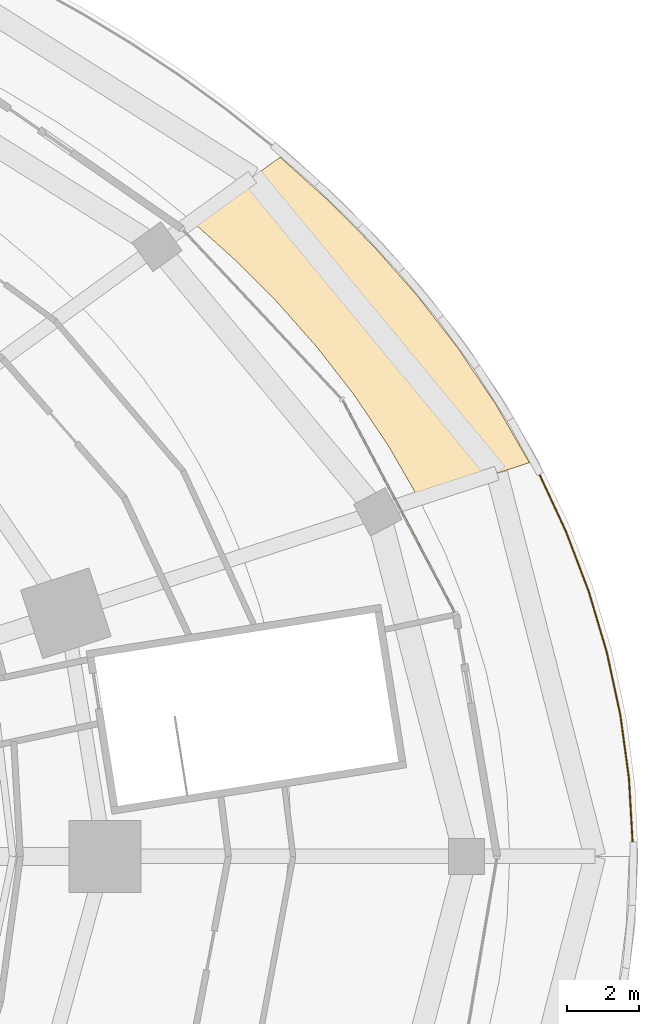
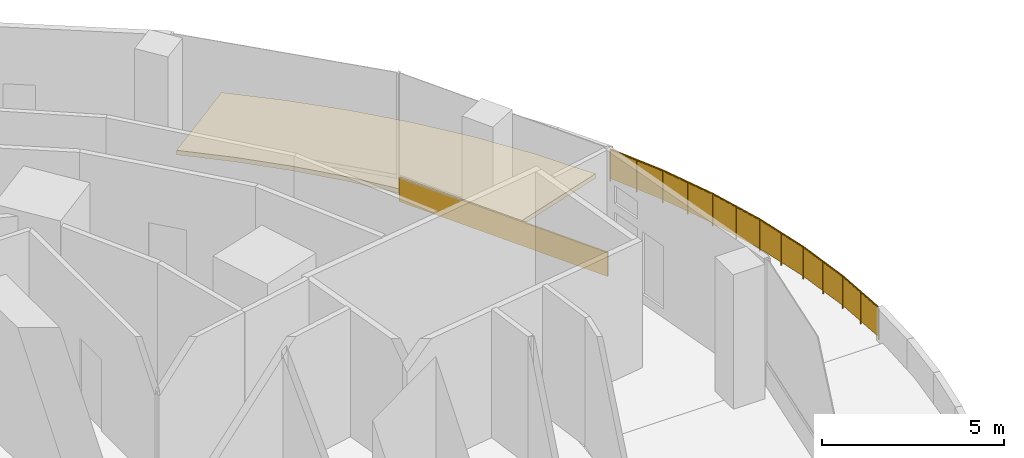
# One storey, part 26 of 26: 2 coverings, 1 railing.
"""IFC4 building model written with IfcOpenShell, lengths in metres."""

from ifc_helpers import new_model, si_unit, direction, frame, origin, origin_2d, place, context, subcontext, project, spatial, polyline, rectangle, circle, outline, extrude, material, layer, layer_set, type_object, element, save


model = new_model("IFC4")

# Units and contexts
model_context = context("Model", 3, precision=1e-05, world=origin(), true_north=direction((0.0, 1.0)))
body_context = subcontext(model_context, "Body", "Model", "MODEL_VIEW")
ifc_project = project(units=[si_unit("LENGTHUNIT", "METRE"), si_unit("AREAUNIT", "SQUARE_METRE"), si_unit("VOLUMEUNIT", "CUBIC_METRE"), si_unit("PLANEANGLEUNIT", "RADIAN"), si_unit("MASSUNIT", "GRAM", prefix="KILO")], contexts=[model_context])

# Site, building, storey
site_placement = place(None, origin())
site = spatial("IfcSite", under=ifc_project, at=site_placement, CompositionType="ELEMENT")
building_placement = place(site_placement, origin())
building = spatial("IfcBuilding", under=site, at=building_placement, Name="Marramba Exchange Tower", CompositionType="ELEMENT")
storey_placement = place(building_placement, frame((0.0, 0.0, 15.10009765625)))
storey = spatial("IfcBuildingStorey", under=building, at=storey_placement, Name="L03", CompositionType="ELEMENT", Elevation=15.10009765625)

# Coverings
ifc_material_1 = material(Name="Extensive green roof: growing medium on drainage cell, filter fabric and root-barrier membrane")
ifc_layer_1 = layer(ifc_material_1, 0.14990234375)
ifc_layer_set_1 = layer_set([ifc_layer_1], Name="Planted roof build-up 150")
covering_type_1 = type_object("IfcCoveringType", Name="Planted roof build-up 150", PredefinedType="ROOFING", material=ifc_layer_set_1)
covering_1_placement = place(storey_placement, origin())
element("IfcCovering", 1, at=covering_1_placement, inside=storey, type_object=covering_type_1, Name="Planted roof build-up L03 bay 02", PredefinedType="ROOFING", context=body_context, shape_type="SweptSolid", body=[
    extrude(outline(polyline([(30.623291015625, 9.9501953125), (29.770751953125, 11.427978515625), (28.82275390625, 12.832763671875), (27.791015625, 14.16015625), (26.68798828125, 15.408447265625), (25.525146484375, 16.576171875), (24.31298828125, 17.66455078125), (26.76513671875, 19.446044921875), (26.76513671875, 19.446044921875), (28.097412109375, 18.24658203125), (29.375244140625, 16.9599609375), (30.587158203125, 15.5849609375), (31.72021484375, 14.122802734375), (32.76123046875, 12.575927734375), (33.697265625, 10.948974609375), (33.697265625, 10.948974609375), (30.623291015625, 9.9501953125)])), origin(), (0.0, 0.0, 1.0), 0.14990234375),
])
ifc_material_2 = material(Name="Aluminium spandrel panel, bronze anodised, insulated", Category="aluminium")
ifc_layer_2 = layer(ifc_material_2, 0.050048828125)
ifc_layer_set_2 = layer_set([ifc_layer_2], Name="Spandrel panel 800")
covering_type_2 = type_object("IfcCoveringType", Name="Spandrel panel 800", PredefinedType="CLADDING", material=ifc_layer_set_2)
covering_2_placement = place(storey_placement, frame((30.077880859375, 9.709228515625, 0.0), z_axis=(0.0, 0.0, 1.0), x_axis=(-0.467131013616, 0.884188111274, 0.0)))
element("IfcCovering", 2, at=covering_2_placement, inside=storey, type_object=covering_type_2, Name="Spandrel panel SP1 L03 F02", PredefinedType="CLADDING", context=body_context, shape_type="SweptSolid", body=[
    extrude(rectangle(XDim=6.7431640625, YDim=0.050048828125, at=origin_2d()), origin(), (0.0, 0.0, 1.0), 0.800048828125),
])

# Railing
ifc_material_3 = material(Name="Bronze anodised aluminium and laminated glass guard", Category="aluminium")
railing_type = type_object("IfcRailingType", Name="Terrace guard 1100", PredefinedType="GUARDRAIL", material=ifc_material_3)
railing_placement = place(storey_placement, frame((36.56640625, 0.3984375, 0.0)))
element("IfcRailing", 3, at=railing_placement, inside=storey, type_object=railing_type, Name="Terrace guard GR1 L03 bay 01", PredefinedType="GUARDRAIL", context=body_context, shape_type="SweptSolid", body=[
    extrude(circle(Radius=0.02392578125, at=origin_2d()), frame((0.0, 0.0, 1.076171875), z_axis=(-0.056944283054, 0.99837735783, 0.0), x_axis=(-0.99837735783, -0.056944283054, 0.0)), (0.0, 0.0, 1.0), 1.779296875),
    extrude(circle(Radius=0.02392578125, at=origin_2d()), frame((-0.101318359375, 1.7763671875, 1.076171875), z_axis=(-0.134843582755, 0.990866897313, 0.0), x_axis=(-0.990866897313, -0.134843582755, 0.0)), (0.0, 0.0, 1.0), 1.778076171875),
    extrude(circle(Radius=0.02392578125, at=origin_2d()), frame((-0.341064453125, 3.5380859375, 1.076171875), z_axis=(-0.211162407925, 0.977450989809, 0.0), x_axis=(-0.977450989809, -0.211162407925, 0.0)), (0.0, 0.0, 1.0), 1.77587890625),
    extrude(circle(Radius=0.02392578125, at=origin_2d()), frame((-0.716064453125, 5.27392578125, 1.076171875), z_axis=(-0.284641812093, 0.958633944115, 0.0), x_axis=(-0.958633944115, -0.284641812093, 0.0)), (0.0, 0.0, 1.0), 1.77197265625),
    extrude(circle(Radius=0.02392578125, at=origin_2d()), frame((-1.220458984375, 6.97265625, 1.076171875), z_axis=(-0.354754178382, 0.934959610315, 0.0), x_axis=(-0.934959610315, -0.354754178382, 0.0)), (0.0, 0.0, 1.0), 1.767333984375),
    extrude(circle(Radius=0.02392578125, at=origin_2d()), frame((-1.847412109375, 8.625, 1.076171875), z_axis=(-0.420842400916, 0.907133768301, 0.0), x_axis=(-0.907133768301, -0.420842400916, 0.0)), (0.0, 0.0, 1.0), 1.7607421875),
    extrude(circle(Radius=0.02099609375, at=origin_2d()), origin(), (0.0, 0.0, 1.0), 1.052001953125),
    extrude(circle(Radius=0.02099609375, at=origin_2d()), frame((-0.05078125, 0.88818359375, 0.0)), (0.0, 0.0, 1.0), 1.052001953125),
    extrude(circle(Radius=0.02099609375, at=origin_2d()), frame((-0.101318359375, 1.7763671875, 0.0)), (0.0, 0.0, 1.0), 1.052001953125),
    extrude(circle(Radius=0.02099609375, at=origin_2d()), frame((-0.22119140625, 2.6572265625, 0.0)), (0.0, 0.0, 1.0), 1.052001953125),
    extrude(circle(Radius=0.02099609375, at=origin_2d()), frame((-0.341064453125, 3.5380859375, 0.0)), (0.0, 0.0, 1.0), 1.052001953125),
    extrude(circle(Radius=0.02099609375, at=origin_2d()), frame((-0.528564453125, 4.406005859375, 0.0)), (0.0, 0.0, 1.0), 1.052001953125),
    extrude(circle(Radius=0.02099609375, at=origin_2d()), frame((-0.716064453125, 5.27392578125, 0.0)), (0.0, 0.0, 1.0), 1.052001953125),
    extrude(circle(Radius=0.02099609375, at=origin_2d()), frame((-0.96826171875, 6.123291015625, 0.0)), (0.0, 0.0, 1.0), 1.052001953125),
    extrude(circle(Radius=0.02099609375, at=origin_2d()), frame((-1.220458984375, 6.97265625, 0.0)), (0.0, 0.0, 1.0), 1.052001953125),
    extrude(circle(Radius=0.02099609375, at=origin_2d()), frame((-1.533935546875, 7.798828125, 0.0)), (0.0, 0.0, 1.0), 1.052001953125),
    extrude(circle(Radius=0.02099609375, at=origin_2d()), frame((-1.847412109375, 8.625, 0.0)), (0.0, 0.0, 1.0), 1.052001953125),
    extrude(circle(Radius=0.02099609375, at=origin_2d()), frame((-2.2177734375, 9.423583984375, 0.0)), (0.0, 0.0, 1.0), 1.052001953125),
    extrude(circle(Radius=0.02099609375, at=origin_2d()), frame((-2.58837890625, 10.22216796875, 0.0)), (0.0, 0.0, 1.0), 1.052001953125),
    extrude(rectangle(XDim=0.87158203125, YDim=0.02001953125, at=origin_2d()), frame((-0.025390625, 0.444091796875, 0.10009765625), z_axis=(0.0, 0.0, 1.0), x_axis=(-0.056944283054, 0.99837735783, 0.0)), (0.0, 0.0, 1.0), 0.951904296875),
    extrude(rectangle(XDim=0.87158203125, YDim=0.02001953125, at=origin_2d()), frame((-0.075927734375, 1.332275390625, 0.10009765625), z_axis=(0.0, 0.0, 1.0), x_axis=(-0.056944283054, 0.99837735783, 0.0)), (0.0, 0.0, 1.0), 0.951904296875),
    extrude(rectangle(XDim=0.87109375, YDim=0.02001953125, at=origin_2d()), frame((-0.1611328125, 2.216796875, 0.10009765625), z_axis=(0.0, 0.0, 1.0), x_axis=(-0.134843582755, 0.990866897313, 0.0)), (0.0, 0.0, 1.0), 0.951904296875),
    extrude(rectangle(XDim=0.87109375, YDim=0.02001953125, at=origin_2d()), frame((-0.28125, 3.09765625, 0.10009765625), z_axis=(0.0, 0.0, 1.0), x_axis=(-0.134843582755, 0.990866897313, 0.0)), (0.0, 0.0, 1.0), 0.951904296875),
    extrude(rectangle(XDim=0.869873046875, YDim=0.02001953125, at=origin_2d()), frame((-0.434814453125, 3.97216796875, 0.10009765625), z_axis=(0.0, 0.0, 1.0), x_axis=(-0.211162407925, 0.977450989809, 0.0)), (0.0, 0.0, 1.0), 0.951904296875),
    extrude(rectangle(XDim=0.869873046875, YDim=0.02001953125, at=origin_2d()), frame((-0.622314453125, 4.83984375, 0.10009765625), z_axis=(0.0, 0.0, 1.0), x_axis=(-0.211162407925, 0.977450989809, 0.0)), (0.0, 0.0, 1.0), 0.951904296875),
    extrude(rectangle(XDim=0.867919921875, YDim=0.02001953125, at=origin_2d()), frame((-0.84228515625, 5.69873046875, 0.10009765625), z_axis=(0.0, 0.0, 1.0), x_axis=(-0.284641812093, 0.958633944115, 0.0)), (0.0, 0.0, 1.0), 0.951904296875),
    extrude(rectangle(XDim=0.867919921875, YDim=0.02001953125, at=origin_2d()), frame((-1.09423828125, 6.5478515625, 0.10009765625), z_axis=(0.0, 0.0, 1.0), x_axis=(-0.284641812093, 0.958633944115, 0.0)), (0.0, 0.0, 1.0), 0.951904296875),
    extrude(rectangle(XDim=0.86572265625, YDim=0.02001953125, at=origin_2d()), frame((-1.377197265625, 7.3857421875, 0.10009765625), z_axis=(0.0, 0.0, 1.0), x_axis=(-0.354754178382, 0.934959610315, 0.0)), (0.0, 0.0, 1.0), 0.951904296875),
    extrude(rectangle(XDim=0.86572265625, YDim=0.02001953125, at=origin_2d()), frame((-1.690673828125, 8.2119140625, 0.10009765625), z_axis=(0.0, 0.0, 1.0), x_axis=(-0.354754178382, 0.934959610315, 0.0)), (0.0, 0.0, 1.0), 0.951904296875),
    extrude(rectangle(XDim=0.8623046875, YDim=0.02001953125, at=origin_2d()), frame((-2.03271484375, 9.0244140625, 0.10009765625), z_axis=(0.0, 0.0, 1.0), x_axis=(-0.420842400916, 0.907133768301, 0.0)), (0.0, 0.0, 1.0), 0.951904296875),
    extrude(rectangle(XDim=0.8623046875, YDim=0.02001953125, at=origin_2d()), frame((-2.403076171875, 9.82275390625, 0.10009765625), z_axis=(0.0, 0.0, 1.0), x_axis=(-0.420842400916, 0.907133768301, 0.0)), (0.0, 0.0, 1.0), 0.951904296875),
])

save(model, "model.ifc")
